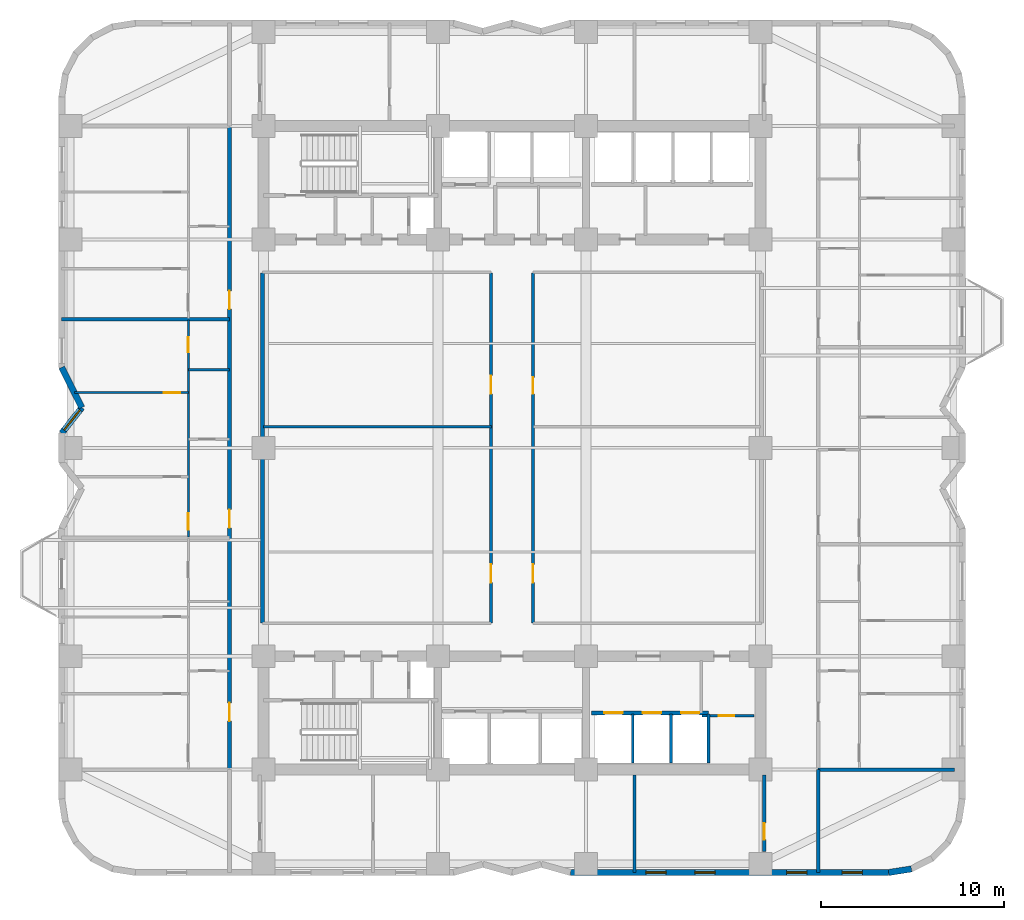
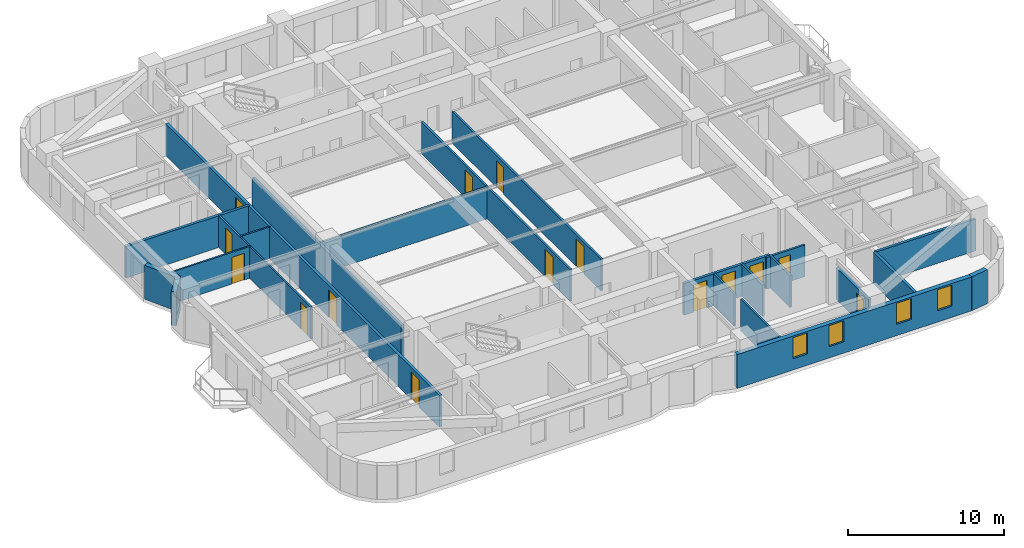
# One storey, part 4 of 10: 22 walls, 15 doors, 5 windows, 20 openings.
"""IFC4 building model written with IfcOpenShell, lengths in metres."""

from ifc_helpers import new_model, si_unit, direction, frame, frame_2d, origin, place, context, subcontext, project, spatial, rectangle, extrude, material, layer, layer_set, type_object, element, fill, save


model = new_model("IFC4")

# Units and contexts
model_context = context("Model", 3, precision=1e-05, world=origin(), true_north=direction((0.0, 1.0)))
body_context = subcontext(model_context, "Body", "Model", "MODEL_VIEW")
ifc_project = project(units=[si_unit("LENGTHUNIT", "METRE"), si_unit("AREAUNIT", "SQUARE_METRE"), si_unit("VOLUMEUNIT", "CUBIC_METRE"), si_unit("PLANEANGLEUNIT", "RADIAN"), si_unit("MASSUNIT", "GRAM", prefix="KILO")], contexts=[model_context])

# Site, building, storey
site_placement = place(None, origin())
site = spatial("IfcSite", under=ifc_project, at=site_placement, CompositionType="ELEMENT")
building_placement = place(site_placement, origin())
building = spatial("IfcBuilding", under=site, at=building_placement, Name="Svetorya Sky Lyceum", CompositionType="ELEMENT")
storey_placement = place(building_placement, frame((0.0, 0.0, 73.199951171875)))
storey = spatial("IfcBuildingStorey", under=building, at=storey_placement, Name="L18", CompositionType="ELEMENT", Elevation=73.199951171875)

# Wall, openings, windows
ifc_material_1 = material(Name="Putilovo limestone rainscreen on autoclaved cellular masonry", Category="masonry")
ifc_layer_1 = layer(ifc_material_1, 0.340087890625)
ifc_layer_set_1 = layer_set([ifc_layer_1], Name="Putilovo limestone rainscreen on autoclaved cellular masonry")
wall_type_1 = type_object("IfcWallType", Name="WL-EXT-340", PredefinedType="SOLIDWALL", material=ifc_layer_set_1)
wall_1_placement = place(storey_placement, frame((42.39990234375, 4.969970703125, 0.0), z_axis=(0.0, 0.0, 1.0), x_axis=(1.0, 0.0, 0.0)))
wall_1 = element("IfcWall", 1, at=wall_1_placement, inside=storey, type_object=wall_type_1, Name="L18 Limestone Exterior Wall 11M", PredefinedType="SOLIDWALL", context=body_context, shape_type="SweptSolid", body=[
    extrude(rectangle(XDim=17.400146484375, YDim=0.340087890625, at=frame_2d((8.7001953125, 0.0))), origin(), (0.0, 0.0, 1.0), 2.66015625),
])
opening_1_placement = place(wall_1_placement, frame((4.125, 0.0, 0.889892578125)))
opening_1 = element("IfcOpeningElement", 2, at=opening_1_placement, cuts=wall_1, Name="Opening W-R3", PredefinedType="OPENING", context=body_context, shape_type="SweptSolid", body=[
    extrude(rectangle(XDim=1.10009765625, YDim=1.64990234375, at=frame_2d((0.550048828125, 0.824951171875))), frame((0.0, 0.179931640625, 0.0), z_axis=(0.0, -1.0, 0.0), x_axis=(1.0, 0.0, 0.0)), (0.0, 0.0, 1.0), 0.360107421875),
])
opening_2_placement = place(wall_1_placement, frame((6.808349609375, 0.0, 0.889892578125)))
opening_2 = element("IfcOpeningElement", 3, at=opening_2_placement, cuts=wall_1, Name="Opening W-R3", PredefinedType="OPENING", context=body_context, shape_type="SweptSolid", body=[
    extrude(rectangle(XDim=1.10009765625, YDim=1.64990234375, at=frame_2d((0.550048828125, 0.824951171875))), frame((0.0, 0.179931640625, 0.0), z_axis=(0.0, -1.0, 0.0), x_axis=(1.0, 0.0, 0.0)), (0.0, 0.0, 1.0), 0.360107421875),
])
opening_3_placement = place(wall_1_placement, frame((11.824951171875, 0.0, 0.889892578125)))
opening_3 = element("IfcOpeningElement", 4, at=opening_3_placement, cuts=wall_1, Name="Opening W-R3", PredefinedType="OPENING", context=body_context, shape_type="SweptSolid", body=[
    extrude(rectangle(XDim=1.10009765625, YDim=1.64990234375, at=frame_2d((0.550048828125, 0.824951171875))), frame((0.0, 0.179931640625, 0.0), z_axis=(0.0, -1.0, 0.0), x_axis=(1.0, 0.0, 0.0)), (0.0, 0.0, 1.0), 0.360107421875),
])
opening_4_placement = place(wall_1_placement, frame((14.8583984375, 0.0, 0.889892578125)))
opening_4 = element("IfcOpeningElement", 5, at=opening_4_placement, cuts=wall_1, Name="Opening W-R3", PredefinedType="OPENING", context=body_context, shape_type="SweptSolid", body=[
    extrude(rectangle(XDim=1.10009765625, YDim=1.64990234375, at=frame_2d((0.550048828125, 0.824951171875))), frame((0.0, 0.179931640625, 0.0), z_axis=(0.0, -1.0, 0.0), x_axis=(1.0, 0.0, 0.0)), (0.0, 0.0, 1.0), 0.360107421875),
])
ifc_material_2 = material(Name="Thermally broken aluminium frame with triple low-E glazing", Category="aluminium")
window_type_1 = type_object("IfcWindowType", Name="WN-RES-110", PartitioningType="SINGLE_PANEL", PredefinedType="WINDOW", material=ifc_material_2)
window_1_placement = place(opening_1_placement, origin())
window_1 = element("IfcWindow", 6, at=window_1_placement, inside=storey, type_object=window_type_1, Name="L18 Facade Window W-R3.11M.1", OverallHeight=1.64990234375, OverallWidth=1.10009765625, PartitioningType="SINGLE_PANEL", PredefinedType="WINDOW", context=body_context, shape_type="SweptSolid", body=[
    extrude(rectangle(XDim=1.10009765625, YDim=1.64990234375, at=frame_2d((0.550048828125, 0.824951171875))), frame((0.0, 0.030029296875, 0.0), z_axis=(0.0, -1.0, 0.0), x_axis=(1.0, 0.0, 0.0)), (0.0, 0.0, 1.0), 0.06005859375),
])
fill(opening_1, window_1)
window_2_placement = place(opening_2_placement, origin())
window_2 = element("IfcWindow", 7, at=window_2_placement, inside=storey, type_object=window_type_1, Name="L18 Facade Window W-R3.11M.2", OverallHeight=1.64990234375, OverallWidth=1.10009765625, PartitioningType="SINGLE_PANEL", PredefinedType="WINDOW", context=body_context, shape_type="SweptSolid", body=[
    extrude(rectangle(XDim=1.10009765625, YDim=1.64990234375, at=frame_2d((0.550048828125, 0.824951171875))), frame((0.0, 0.030029296875, 0.0), z_axis=(0.0, -1.0, 0.0), x_axis=(1.0, 0.0, 0.0)), (0.0, 0.0, 1.0), 0.06005859375),
])
fill(opening_2, window_2)
window_3_placement = place(opening_3_placement, origin())
window_3 = element("IfcWindow", 8, at=window_3_placement, inside=storey, type_object=window_type_1, Name="L18 Facade Window W-R3.11M.3", OverallHeight=1.64990234375, OverallWidth=1.10009765625, PartitioningType="SINGLE_PANEL", PredefinedType="WINDOW", context=body_context, shape_type="SweptSolid", body=[
    extrude(rectangle(XDim=1.10009765625, YDim=1.64990234375, at=frame_2d((0.550048828125, 0.824951171875))), frame((0.0, 0.030029296875, 0.0), z_axis=(0.0, -1.0, 0.0), x_axis=(1.0, 0.0, 0.0)), (0.0, 0.0, 1.0), 0.06005859375),
])
fill(opening_3, window_3)
window_4_placement = place(opening_4_placement, origin())
window_4 = element("IfcWindow", 9, at=window_4_placement, inside=storey, type_object=window_type_1, Name="L18 Facade Window W-R3.11M.4", OverallHeight=1.64990234375, OverallWidth=1.10009765625, PartitioningType="SINGLE_PANEL", PredefinedType="WINDOW", context=body_context, shape_type="SweptSolid", body=[
    extrude(rectangle(XDim=1.10009765625, YDim=1.64990234375, at=frame_2d((0.550048828125, 0.824951171875))), frame((0.0, 0.030029296875, 0.0), z_axis=(0.0, -1.0, 0.0), x_axis=(1.0, 0.0, 0.0)), (0.0, 0.0, 1.0), 0.06005859375),
])
fill(opening_4, window_4)

# Walls
wall_2_placement = place(storey_placement, frame((59.800048828125, 4.969970703125, 0.0), z_axis=(0.0, 0.0, 1.0), x_axis=(0.987685918112, 0.15644975923, 0.0)))
element("IfcWall", 10, at=wall_2_placement, inside=storey, type_object=wall_type_1, Name="L18 Limestone Exterior Wall 12M", PredefinedType="SOLIDWALL", context=body_context, shape_type="SweptSolid", body=[
    extrude(rectangle(XDim=1.260986328125, YDim=0.340087890625, at=frame_2d((0.63037109375, 0.0))), origin(), (0.0, 0.0, 1.0), 2.66015625),
])
wall_3_placement = place(storey_placement, frame((14.570068359375, 32.60009765625, 0.0), z_axis=(0.0, 0.0, 1.0), x_axis=(0.44713419144, -0.894466888625, 0.0)))
element("IfcWall", 11, at=wall_3_placement, inside=storey, type_object=wall_type_1, Name="L18 Limestone Exterior Wall 41M", PredefinedType="SOLIDWALL", context=body_context, shape_type="SweptSolid", body=[
    extrude(rectangle(XDim=2.459716796875, YDim=0.340087890625, at=frame_2d((1.22998046875, 0.0))), origin(), (0.0, 0.0, 1.0), 2.66015625),
])

# Wall, opening, window
wall_4_placement = place(storey_placement, frame((15.669921875, 30.39990234375, 0.0), z_axis=(0.0, 0.0, 1.0), x_axis=(-0.617797325735, -0.786337373088, 0.0)))
wall_4 = element("IfcWall", 12, at=wall_4_placement, inside=storey, type_object=wall_type_1, Name="L18 Limestone Exterior Wall 42M", PredefinedType="SOLIDWALL", context=body_context, shape_type="SweptSolid", body=[
    extrude(rectangle(XDim=1.7802734375, YDim=0.340087890625, at=frame_2d((0.89013671875, 0.0))), origin(), (0.0, 0.0, 1.0), 2.66015625),
])
opening_5_placement = place(wall_4_placement, frame((0.159912109375, 0.0, 0.64990234375)))
opening_5 = element("IfcOpeningElement", 13, at=opening_5_placement, cuts=wall_4, Name="Opening W-R2", PredefinedType="OPENING", context=body_context, shape_type="SweptSolid", body=[
    extrude(rectangle(XDim=1.39990234375, YDim=1.85009765625, at=frame_2d((0.699951171875, 0.925048828125))), frame((0.0, 0.179931640625, 0.0), z_axis=(0.0, -1.0, 0.0), x_axis=(1.0, 0.0, 0.0)), (0.0, 0.0, 1.0), 0.360107421875),
])
window_type_2 = type_object("IfcWindowType", Name="WN-RES-140", PartitioningType="SINGLE_PANEL", PredefinedType="WINDOW", material=ifc_material_2)
window_5_placement = place(opening_5_placement, origin())
window_5 = element("IfcWindow", 14, at=window_5_placement, inside=storey, type_object=window_type_2, Name="L18 Facade Window W-R2.42M.1", OverallHeight=1.85009765625, OverallWidth=1.39990234375, PartitioningType="SINGLE_PANEL", PredefinedType="WINDOW", context=body_context, shape_type="SweptSolid", body=[
    extrude(rectangle(XDim=1.39990234375, YDim=1.85009765625, at=frame_2d((0.699951171875, 0.925048828125))), frame((0.0, 0.030029296875, 0.0), z_axis=(0.0, -1.0, 0.0), x_axis=(1.0, 0.0, 0.0)), (0.0, 0.0, 1.0), 0.06005859375),
])
fill(opening_5, window_5)

# Wall
ifc_material_3 = material(Name="Twin-stud galvanized framing with double fireboard", Category="gypsum")
ifc_layer_2 = layer(ifc_material_3, 0.1201171875)
ifc_layer_set_2 = layer_set([ifc_layer_2], Name="Twin-stud galvanized framing with double fireboard")
wall_type_2 = type_object("IfcWallType", Name="WL-PART-120", PredefinedType="PARTITIONING", material=ifc_layer_set_2)
wall_5_placement = place(storey_placement, frame((21.5, 32.471923828125, 0.0), z_axis=(0.0, 0.0, 1.0), x_axis=(1.0, 0.0, 0.0)))
element("IfcWall", 15, at=wall_5_placement, inside=storey, type_object=wall_type_2, Name="L18 Interior Partition W2-WH2", PredefinedType="PARTITIONING", context=body_context, shape_type="SweptSolid", body=[
    extrude(rectangle(XDim=2.25, YDim=0.1201171875, at=frame_2d((1.125, 0.0))), origin(), (0.0, 0.0, 1.0), 2.489990234375),
])

# Wall, opening, door
wall_6_placement = place(storey_placement, frame((15.259033203125, 31.221923828125, 0.0), z_axis=(0.0, 0.0, 1.0), x_axis=(1.0, 0.0, 0.0)))
wall_6 = element("IfcWall", 16, at=wall_6_placement, inside=storey, type_object=wall_type_2, Name="L18 Interior Partition W2-WL2", PredefinedType="PARTITIONING", context=body_context, shape_type="SweptSolid", body=[
    extrude(rectangle(XDim=6.240966796875, YDim=0.1201171875, at=frame_2d((3.12060546875, 0.0))), origin(), (0.0, 0.0, 1.0), 2.489990234375),
])
opening_6_placement = place(wall_6_placement, frame((4.89111328125, 0.0, 0.0)))
opening_6 = element("IfcOpeningElement", 17, at=opening_6_placement, cuts=wall_6, Name="Opening D-RM1", PredefinedType="OPENING", context=body_context, shape_type="SweptSolid", body=[
    extrude(rectangle(XDim=0.89990234375, YDim=2.10009765625, at=frame_2d((0.449951171875, 1.050048828125))), frame((0.0, 0.070068359375, 0.0), z_axis=(0.0, -1.0, 0.0), x_axis=(1.0, 0.0, 0.0)), (0.0, 0.0, 1.0), 0.14013671875),
])
ifc_material_4 = material(Name="Lacquered birch veneer internal door")
door_type_1 = type_object("IfcDoorType", Name="DR-INT-900", OperationType="SINGLE_SWING_LEFT", PredefinedType="DOOR", material=ifc_material_4)
door_1_placement = place(opening_6_placement, origin())
door_1 = element("IfcDoor", 18, at=door_1_placement, inside=storey, type_object=door_type_1, Name="Apartment W2 Bedroom 2 Door", OperationType="SINGLE_SWING_LEFT", OverallHeight=2.10009765625, OverallWidth=0.89990234375, PredefinedType="DOOR", context=body_context, shape_type="SweptSolid", body=[
    extrude(rectangle(XDim=0.89990234375, YDim=2.10009765625, at=frame_2d((0.449951171875, 1.050048828125))), frame((0.0, 0.02490234375, 0.0), z_axis=(0.0, -1.0, 0.0), x_axis=(1.0, 0.0, 0.0)), (0.0, 0.0, 1.0), 0.050048828125),
])
fill(opening_6, door_1)

# Wall, openings, doors
wall_7_placement = place(storey_placement, frame((21.5, 23.31201171875, 0.0), z_axis=(0.0, 0.0, 1.0), x_axis=(0.0, 1.0, 0.0)))
wall_7 = element("IfcWall", 19, at=wall_7_placement, inside=storey, type_object=wall_type_2, Name="L18 Interior Partition W2-WV", PredefinedType="PARTITIONING", context=body_context, shape_type="SweptSolid", body=[
    extrude(rectangle(XDim=11.887939453125, YDim=0.1201171875, at=frame_2d((5.94384765625, 0.0))), origin(), (0.0, 0.0, 1.0), 2.489990234375),
])
opening_7_placement = place(wall_7_placement, frame((0.409912109375, 0.0, 0.0)))
opening_7 = element("IfcOpeningElement", 20, at=opening_7_placement, cuts=wall_7, Name="Opening D-RM1", PredefinedType="OPENING", context=body_context, shape_type="SweptSolid", body=[
    extrude(rectangle(XDim=0.89990234375, YDim=2.10009765625, at=frame_2d((0.449951171875, 1.050048828125))), frame((0.0, 0.070068359375, 0.0), z_axis=(0.0, -1.0, 0.0), x_axis=(1.0, 0.0, 0.0)), (0.0, 0.0, 1.0), 0.14013671875),
])
opening_8_placement = place(wall_7_placement, frame((10.118896484375, 0.0, 0.0)))
opening_8 = element("IfcOpeningElement", 21, at=opening_8_placement, cuts=wall_7, Name="Opening D-BT2", PredefinedType="OPENING", context=body_context, shape_type="SweptSolid", body=[
    extrude(rectangle(XDim=0.820068359375, YDim=2.080078125, at=frame_2d((0.41015625, 1.0400390625))), frame((0.0, 0.070068359375, 0.0), z_axis=(0.0, -1.0, 0.0), x_axis=(1.0, 0.0, 0.0)), (0.0, 0.0, 1.0), 0.14013671875),
])
door_2_placement = place(opening_7_placement, origin())
door_2 = element("IfcDoor", 22, at=door_2_placement, inside=storey, type_object=door_type_1, Name="Apartment W2 Living Door", OperationType="SINGLE_SWING_LEFT", OverallHeight=2.10009765625, OverallWidth=0.89990234375, PredefinedType="DOOR", context=body_context, shape_type="SweptSolid", body=[
    extrude(rectangle(XDim=0.89990234375, YDim=2.10009765625, at=frame_2d((0.449951171875, 1.050048828125))), frame((0.0, 0.02490234375, 0.0), z_axis=(0.0, -1.0, 0.0), x_axis=(1.0, 0.0, 0.0)), (0.0, 0.0, 1.0), 0.050048828125),
])
fill(opening_7, door_2)
ifc_material_5 = material(Name="Compact moisture-resistant laminate closet door")
door_type_2 = type_object("IfcDoorType", Name="DR-WET-820", OperationType="SINGLE_SWING_LEFT", PredefinedType="DOOR", material=ifc_material_5)
door_3_placement = place(opening_8_placement, origin())
door_3 = element("IfcDoor", 23, at=door_3_placement, inside=storey, type_object=door_type_2, Name="Apartment W2 Study Door", OperationType="SINGLE_SWING_RIGHT", OverallHeight=2.080078125, OverallWidth=0.820068359375, PredefinedType="DOOR", context=body_context, shape_type="SweptSolid", body=[
    extrude(rectangle(XDim=0.820068359375, YDim=2.080078125, at=frame_2d((0.41015625, 1.0400390625))), frame((0.0, 0.02490234375, 0.0), z_axis=(0.0, -1.0, 0.0), x_axis=(1.0, 0.0, 0.0)), (0.0, 0.0, 1.0), 0.050048828125),
])
fill(opening_8, door_3)

# Walls
ifc_material_6 = material(Name="Autoclaved cellular masonry blockwork with acoustic render", Category="masonry")
ifc_layer_3 = layer(ifc_material_6, 0.14990234375)
ifc_layer_set_3 = layer_set([ifc_layer_3], Name="Autoclaved cellular masonry blockwork with acoustic render")
wall_type_3 = type_object("IfcWallType", Name="WL-PART-150", PredefinedType="PARTITIONING", material=ifc_layer_set_3)
for number, where, z_axis, x_axis, name in (
    (24, (45.800048828125, 10.949951171875, 0.0), (0.0, 0.0, 1.0), (0.0, 1.0, 0.0), "L18 Interior Partition SC-PL-DIV1"),
    (25, (47.89990234375, 10.949951171875, 0.0), (0.0, 0.0, 1.0), (0.0, 1.0, 0.0), "L18 Interior Partition SC-PL-DIV2"),
    (26, (49.949951171875, 10.949951171875, 0.0), (0.0, 0.0, 1.0), (0.0, 1.0, 0.0), "L18 Interior Partition SC-PL-END"),
):
    element("IfcWall", number, at=place(storey_placement, frame(where, z_axis=z_axis, x_axis=x_axis)), inside=storey, type_object=wall_type_3, Name=name, PredefinedType="PARTITIONING", context=body_context, shape_type="SweptSolid", body=[
        extrude(rectangle(XDim=2.699951171875, YDim=0.14990234375, at=frame_2d((1.35009765625, 0.0))), origin(), (0.0, 0.0, 1.0), 2.489990234375),
    ])

# Wall, opening, door
wall_8_placement = place(storey_placement, frame((49.60009765625, 13.550048828125, 0.0), z_axis=(0.0, 0.0, 1.0), x_axis=(1.0, 0.0, 0.0)))
wall_8 = element("IfcWall", 27, at=wall_8_placement, inside=storey, type_object=wall_type_3, Name="L18 Interior Partition SC-AUX-H", PredefinedType="PARTITIONING", context=body_context, shape_type="SweptSolid", body=[
    extrude(rectangle(XDim=2.849853515625, YDim=0.14990234375, at=frame_2d((1.4248046875, 0.0))), origin(), (0.0, 0.0, 1.0), 2.489990234375),
])
opening_9_placement = place(wall_8_placement, frame((0.89990234375, 0.0, 0.0)))
opening_9 = element("IfcOpeningElement", 28, at=opening_9_placement, cuts=wall_8, Name="Opening D-CWC1", PredefinedType="OPENING", context=body_context, shape_type="SweptSolid", body=[
    extrude(rectangle(XDim=0.85009765625, YDim=2.10009765625, at=frame_2d((0.425048828125, 1.050048828125))), frame((0.0, 0.0849609375, 0.0), z_axis=(0.0, -1.0, 0.0), x_axis=(1.0, 0.0, 0.0)), (0.0, 0.0, 1.0), 0.169921875),
])
ifc_material_7 = material(Name="Fire-rated galvanized steel core service closet door", Category="steel")
door_type_3 = type_object("IfcDoorType", Name="DR-CWET-850", OperationType="SINGLE_SWING_LEFT", PredefinedType="DOOR", material=ifc_material_7)
door_4_placement = place(opening_9_placement, origin())
door_4 = element("IfcDoor", 29, at=door_4_placement, inside=storey, type_object=door_type_3, Name="L18 South Electrical Closet Door", OperationType="SINGLE_SWING_LEFT", OverallHeight=2.10009765625, OverallWidth=0.85009765625, PredefinedType="DOOR", context=body_context, shape_type="SweptSolid", body=[
    extrude(rectangle(XDim=0.85009765625, YDim=2.10009765625, at=frame_2d((0.425048828125, 1.050048828125))), frame((0.0, 0.02490234375, 0.0), z_axis=(0.0, -1.0, 0.0), x_axis=(1.0, 0.0, 0.0)), (0.0, 0.0, 1.0), 0.050048828125),
])
fill(opening_9, door_4)

# Wall
wall_9_placement = place(storey_placement, frame((25.60009765625, 29.348388671875, 0.0), z_axis=(0.0, 0.0, 1.0), x_axis=(1.0, 0.0, 0.0)))
element("IfcWall", 30, at=wall_9_placement, inside=storey, type_object=wall_type_3, Name="L18 Interior Partition CEN-HW", PredefinedType="PARTITIONING", context=body_context, shape_type="SweptSolid", body=[
    extrude(rectangle(XDim=12.469970703125, YDim=0.14990234375, at=frame_2d((6.23486328125, 0.0))), origin(), (0.0, 0.0, 1.0), 2.489990234375),
])

# Wall, openings, doors
wall_10_placement = place(storey_placement, frame((38.050048828125, 18.6298828125, 0.0), z_axis=(0.0, 0.0, 1.0), x_axis=(0.0, 1.0, 0.0)))
wall_10 = element("IfcWall", 31, at=wall_10_placement, inside=storey, type_object=wall_type_3, Name="L18 Interior Partition CEN-VW", PredefinedType="PARTITIONING", context=body_context, shape_type="SweptSolid", body=[
    extrude(rectangle(XDim=19.14013671875, YDim=0.14990234375, at=frame_2d((9.570068359375, 0.0))), origin(), (0.0, 0.0, 1.0), 2.489990234375),
])
opening_10_placement = place(wall_10_placement, frame((2.199951171875, 0.0, 0.0)))
opening_10 = element("IfcOpeningElement", 32, at=opening_10_placement, cuts=wall_10, Name="Opening D-RM2", PredefinedType="OPENING", context=body_context, shape_type="SweptSolid", body=[
    extrude(rectangle(XDim=1.0, YDim=2.14990234375, at=frame_2d((0.5, 1.074951171875))), frame((0.0, 0.0849609375, 0.0), z_axis=(0.0, -1.0, 0.0), x_axis=(1.0, 0.0, 0.0)), (0.0, 0.0, 1.0), 0.169921875),
])
opening_11_placement = place(wall_10_placement, frame((12.518310546875, 0.0, 0.0)))
opening_11 = element("IfcOpeningElement", 33, at=opening_11_placement, cuts=wall_10, Name="Opening D-RM2", PredefinedType="OPENING", context=body_context, shape_type="SweptSolid", body=[
    extrude(rectangle(XDim=1.0, YDim=2.14990234375, at=frame_2d((0.5, 1.074951171875))), frame((0.0, 0.0849609375, 0.0), z_axis=(0.0, -1.0, 0.0), x_axis=(1.0, 0.0, 0.0)), (0.0, 0.0, 1.0), 0.169921875),
])
ifc_material_8 = material(Name="Solid-core oak acoustic room door")
door_type_4 = type_object("IfcDoorType", Name="DR-INT-1000", OperationType="SINGLE_SWING_LEFT", PredefinedType="DOOR", material=ifc_material_8)
door_5_placement = place(opening_10_placement, origin())
door_5 = element("IfcDoor", 34, at=door_5_placement, inside=storey, type_object=door_type_4, Name="L18 Meeting Door", OperationType="SINGLE_SWING_LEFT", OverallHeight=2.14990234375, OverallWidth=1.0, PredefinedType="DOOR", context=body_context, shape_type="SweptSolid", body=[
    extrude(rectangle(XDim=1.0, YDim=2.14990234375, at=frame_2d((0.5, 1.074951171875))), frame((0.0, 0.02490234375, 0.0), z_axis=(0.0, -1.0, 0.0), x_axis=(1.0, 0.0, 0.0)), (0.0, 0.0, 1.0), 0.050048828125),
])
fill(opening_10, door_5)
door_6_placement = place(opening_11_placement, origin())
door_6 = element("IfcDoor", 35, at=door_6_placement, inside=storey, type_object=door_type_4, Name="L18 Focus Door", OperationType="SINGLE_SWING_RIGHT", OverallHeight=2.14990234375, OverallWidth=1.0, PredefinedType="DOOR", context=body_context, shape_type="SweptSolid", body=[
    extrude(rectangle(XDim=1.0, YDim=2.14990234375, at=frame_2d((0.5, 1.074951171875))), frame((0.0, 0.02490234375, 0.0), z_axis=(0.0, -1.0, 0.0), x_axis=(1.0, 0.0, 0.0)), (0.0, 0.0, 1.0), 0.050048828125),
])
fill(opening_11, door_6)

wall_11_placement = place(storey_placement, frame((40.35009765625, 18.6298828125, 0.0), z_axis=(0.0, 0.0, 1.0), x_axis=(0.0, 1.0, 0.0)))
wall_11 = element("IfcWall", 36, at=wall_11_placement, inside=storey, type_object=wall_type_3, Name="L18 Interior Partition CEN-VE", PredefinedType="PARTITIONING", context=body_context, shape_type="SweptSolid", body=[
    extrude(rectangle(XDim=19.14013671875, YDim=0.14990234375, at=frame_2d((9.570068359375, 0.0))), origin(), (0.0, 0.0, 1.0), 2.489990234375),
])
opening_12_placement = place(wall_11_placement, frame((2.199951171875, 0.0, 0.0)))
opening_12 = element("IfcOpeningElement", 37, at=opening_12_placement, cuts=wall_11, Name="Opening D-RM2", PredefinedType="OPENING", context=body_context, shape_type="SweptSolid", body=[
    extrude(rectangle(XDim=1.0, YDim=2.14990234375, at=frame_2d((0.5, 1.074951171875))), frame((0.0, 0.0849609375, 0.0), z_axis=(0.0, -1.0, 0.0), x_axis=(1.0, 0.0, 0.0)), (0.0, 0.0, 1.0), 0.169921875),
])
opening_13_placement = place(wall_11_placement, frame((12.518310546875, 0.0, 0.0)))
opening_13 = element("IfcOpeningElement", 38, at=opening_13_placement, cuts=wall_11, Name="Opening D-RM1", PredefinedType="OPENING", context=body_context, shape_type="SweptSolid", body=[
    extrude(rectangle(XDim=0.89990234375, YDim=2.10009765625, at=frame_2d((0.449951171875, 1.050048828125))), frame((0.0, 0.0849609375, 0.0), z_axis=(0.0, -1.0, 0.0), x_axis=(1.0, 0.0, 0.0)), (0.0, 0.0, 1.0), 0.169921875),
])
door_7_placement = place(opening_12_placement, origin())
door_7 = element("IfcDoor", 39, at=door_7_placement, inside=storey, type_object=door_type_4, Name="L18 Office Door", OperationType="SINGLE_SWING_RIGHT", OverallHeight=2.14990234375, OverallWidth=1.0, PredefinedType="DOOR", context=body_context, shape_type="SweptSolid", body=[
    extrude(rectangle(XDim=1.0, YDim=2.14990234375, at=frame_2d((0.5, 1.074951171875))), frame((0.0, 0.02490234375, 0.0), z_axis=(0.0, -1.0, 0.0), x_axis=(1.0, 0.0, 0.0)), (0.0, 0.0, 1.0), 0.050048828125),
])
fill(opening_12, door_7)
door_8_placement = place(opening_13_placement, origin())
door_8 = element("IfcDoor", 40, at=door_8_placement, inside=storey, type_object=door_type_1, Name="L18 Pantry Door", OperationType="SINGLE_SWING_LEFT", OverallHeight=2.10009765625, OverallWidth=0.89990234375, PredefinedType="DOOR", context=body_context, shape_type="SweptSolid", body=[
    extrude(rectangle(XDim=0.89990234375, YDim=2.10009765625, at=frame_2d((0.449951171875, 1.050048828125))), frame((0.0, 0.02490234375, 0.0), z_axis=(0.0, -1.0, 0.0), x_axis=(1.0, 0.0, 0.0)), (0.0, 0.0, 1.0), 0.050048828125),
])
fill(opening_13, door_8)

# Wall
wall_12_placement = place(storey_placement, frame((45.89990234375, 4.969970703125, 0.0), z_axis=(0.0, 0.0, 1.0), x_axis=(0.0, 1.0, 0.0)))
element("IfcWall", 41, at=wall_12_placement, inside=storey, type_object=wall_type_3, Name="L18 Interior Partition S-D2", PredefinedType="PARTITIONING", context=body_context, shape_type="SweptSolid", body=[
    extrude(rectangle(XDim=5.330078125, YDim=0.14990234375, at=frame_2d((2.6650390625, 0.0))), origin(), (0.0, 0.0, 1.0), 2.489990234375),
])

# Wall, openings, doors
ifc_material_9 = material(Name="Autoclaved cellular masonry blockwork with gypsum plaster", Category="masonry")
ifc_layer_4 = layer(ifc_material_9, 0.199951171875)
ifc_layer_set_4 = layer_set([ifc_layer_4], Name="Autoclaved cellular masonry blockwork with gypsum plaster")
wall_type_4 = type_object("IfcWallType", Name="WL-PART-200", PredefinedType="PARTITIONING", material=ifc_layer_set_4)
wall_13_placement = place(storey_placement, frame((43.550048828125, 13.699951171875, 0.0), z_axis=(0.0, 0.0, 1.0), x_axis=(1.0, 0.0, 0.0)))
wall_13 = element("IfcWall", 42, at=wall_13_placement, inside=storey, type_object=wall_type_4, Name="L18 Interior Partition SC-PLW", PredefinedType="PARTITIONING", context=body_context, shape_type="SweptSolid", body=[
    extrude(rectangle(XDim=6.39990234375, YDim=0.199951171875, at=frame_2d((3.199951171875, 0.0))), origin(), (0.0, 0.0, 1.0), 2.489990234375),
])
opening_14_placement = place(wall_13_placement, frame((0.699951171875, 0.0, 0.0)))
opening_14 = element("IfcOpeningElement", 43, at=opening_14_placement, cuts=wall_13, Name="Opening LD-P1", PredefinedType="OPENING", context=body_context, shape_type="SweptSolid", body=[
    extrude(rectangle(XDim=1.0, YDim=2.14990234375, at=frame_2d((0.5, 1.074951171875))), frame((0.0, 0.10986328125, 0.0), z_axis=(0.0, -1.0, 0.0), x_axis=(1.0, 0.0, 0.0)), (0.0, 0.0, 1.0), 0.219970703125),
])
opening_15_placement = place(wall_13_placement, frame((2.800048828125, 0.0, 0.0)))
opening_15 = element("IfcOpeningElement", 44, at=opening_15_placement, cuts=wall_13, Name="Opening LD-P1", PredefinedType="OPENING", context=body_context, shape_type="SweptSolid", body=[
    extrude(rectangle(XDim=1.0, YDim=2.14990234375, at=frame_2d((0.5, 1.074951171875))), frame((0.0, 0.10986328125, 0.0), z_axis=(0.0, -1.0, 0.0), x_axis=(1.0, 0.0, 0.0)), (0.0, 0.0, 1.0), 0.219970703125),
])
opening_16_placement = place(wall_13_placement, frame((4.89990234375, 0.0, 0.0)))
opening_16 = element("IfcOpeningElement", 45, at=opening_16_placement, cuts=wall_13, Name="Opening LD-P1", PredefinedType="OPENING", context=body_context, shape_type="SweptSolid", body=[
    extrude(rectangle(XDim=1.0, YDim=2.14990234375, at=frame_2d((0.5, 1.074951171875))), frame((0.0, 0.10986328125, 0.0), z_axis=(0.0, -1.0, 0.0), x_axis=(1.0, 0.0, 0.0)), (0.0, 0.0, 1.0), 0.219970703125),
])
ifc_material_10 = material(Name="Champagne-anodized stainless passenger lift landing door")
door_type_5 = type_object("IfcDoorType", Name="DR-LIFT-1000", OperationType="SLIDING_TO_LEFT", PredefinedType="DOOR", material=ifc_material_10)
door_9_placement = place(opening_14_placement, origin())
door_9 = element("IfcDoor", 46, at=door_9_placement, inside=storey, type_object=door_type_5, Name="L18 Passenger Lift PL1 Landing Door", OperationType="SLIDING_TO_LEFT", OverallHeight=2.14990234375, OverallWidth=1.0, PredefinedType="DOOR", context=body_context, shape_type="SweptSolid", body=[
    extrude(rectangle(XDim=1.0, YDim=2.14990234375, at=frame_2d((0.5, 1.074951171875))), frame((0.0, 0.02490234375, 0.0), z_axis=(0.0, -1.0, 0.0), x_axis=(1.0, 0.0, 0.0)), (0.0, 0.0, 1.0), 0.050048828125),
])
fill(opening_14, door_9)
door_10_placement = place(opening_15_placement, origin())
door_10 = element("IfcDoor", 47, at=door_10_placement, inside=storey, type_object=door_type_5, Name="L18 Passenger Lift PL2 Landing Door", OperationType="SLIDING_TO_LEFT", OverallHeight=2.14990234375, OverallWidth=1.0, PredefinedType="DOOR", context=body_context, shape_type="SweptSolid", body=[
    extrude(rectangle(XDim=1.0, YDim=2.14990234375, at=frame_2d((0.5, 1.074951171875))), frame((0.0, 0.02490234375, 0.0), z_axis=(0.0, -1.0, 0.0), x_axis=(1.0, 0.0, 0.0)), (0.0, 0.0, 1.0), 0.050048828125),
])
fill(opening_15, door_10)
door_11_placement = place(opening_16_placement, origin())
door_11 = element("IfcDoor", 48, at=door_11_placement, inside=storey, type_object=door_type_5, Name="L18 Passenger Lift PL3 Landing Door", OperationType="SLIDING_TO_LEFT", OverallHeight=2.14990234375, OverallWidth=1.0, PredefinedType="DOOR", context=body_context, shape_type="SweptSolid", body=[
    extrude(rectangle(XDim=1.0, YDim=2.14990234375, at=frame_2d((0.5, 1.074951171875))), frame((0.0, 0.02490234375, 0.0), z_axis=(0.0, -1.0, 0.0), x_axis=(1.0, 0.0, 0.0)), (0.0, 0.0, 1.0), 0.050048828125),
])
fill(opening_16, door_11)

# Walls
wall_14_placement = place(storey_placement, frame((25.550048828125, 18.6298828125, 0.0), z_axis=(0.0, 0.0, 1.0), x_axis=(0.0, 1.0, 0.0)))
element("IfcWall", 49, at=wall_14_placement, inside=storey, type_object=wall_type_4, Name="L18 Interior Partition W-CEN-SEP", PredefinedType="PARTITIONING", context=body_context, shape_type="SweptSolid", body=[
    extrude(rectangle(XDim=19.14013671875, YDim=0.199951171875, at=frame_2d((9.570068359375, 0.0))), origin(), (0.0, 0.0, 1.0), 2.489990234375),
])
wall_15_placement = place(storey_placement, frame((14.570068359375, 35.239990234375, 0.0), z_axis=(0.0, 0.0, 1.0), x_axis=(1.0, 0.0, 0.0)))
element("IfcWall", 50, at=wall_15_placement, inside=storey, type_object=wall_type_4, Name="L18 Interior Partition W-PARTY-2", PredefinedType="PARTITIONING", context=body_context, shape_type="SweptSolid", body=[
    extrude(rectangle(XDim=9.179931640625, YDim=0.199951171875, at=frame_2d((4.58984375, 0.0))), origin(), (0.0, 0.0, 1.0), 2.489990234375),
])

# Wall, openings, doors
wall_16_placement = place(storey_placement, frame((23.75, 10.60009765625, 0.0), z_axis=(0.0, 0.0, 1.0), x_axis=(0.0, 1.0, 0.0)))
wall_16 = element("IfcWall", 51, at=wall_16_placement, inside=storey, type_object=wall_type_4, Name="L18 Interior Partition W-CORRW", PredefinedType="PARTITIONING", context=body_context, shape_type="SweptSolid", body=[
    extrude(rectangle(XDim=35.199951171875, YDim=0.199951171875, at=frame_2d((17.60009765625, 0.0))), origin(), (0.0, 0.0, 1.0), 2.489990234375),
])
opening_17_placement = place(wall_16_placement, frame((2.64990234375, 0.0, 0.0)))
opening_17 = element("IfcOpeningElement", 52, at=opening_17_placement, cuts=wall_16, Name="Opening D-APT1", PredefinedType="OPENING", context=body_context, shape_type="SweptSolid", body=[
    extrude(rectangle(XDim=1.0, YDim=2.14990234375, at=frame_2d((0.5, 1.074951171875))), frame((0.0, 0.10986328125, 0.0), z_axis=(0.0, -1.0, 0.0), x_axis=(1.0, 0.0, 0.0)), (0.0, 0.0, 1.0), 0.219970703125),
])
opening_18_placement = place(wall_16_placement, frame((13.221923828125, 0.0, 0.0)))
opening_18 = element("IfcOpeningElement", 53, at=opening_18_placement, cuts=wall_16, Name="Opening D-APT1", PredefinedType="OPENING", context=body_context, shape_type="SweptSolid", body=[
    extrude(rectangle(XDim=1.0, YDim=2.14990234375, at=frame_2d((0.5, 1.074951171875))), frame((0.0, 0.10986328125, 0.0), z_axis=(0.0, -1.0, 0.0), x_axis=(1.0, 0.0, 0.0)), (0.0, 0.0, 1.0), 0.219970703125),
])
opening_19_placement = place(wall_16_placement, frame((25.18994140625, 0.0, 0.0)))
opening_19 = element("IfcOpeningElement", 54, at=opening_19_placement, cuts=wall_16, Name="Opening D-APT1", PredefinedType="OPENING", context=body_context, shape_type="SweptSolid", body=[
    extrude(rectangle(XDim=1.0, YDim=2.14990234375, at=frame_2d((0.5, 1.074951171875))), frame((0.0, 0.10986328125, 0.0), z_axis=(0.0, -1.0, 0.0), x_axis=(1.0, 0.0, 0.0)), (0.0, 0.0, 1.0), 0.219970703125),
])
ifc_material_11 = material(Name="Insulated oak-veneered apartment entrance door")
door_type_6 = type_object("IfcDoorType", Name="DR-APT-1000", OperationType="SINGLE_SWING_LEFT", PredefinedType="DOOR", material=ifc_material_11)
door_12_placement = place(opening_17_placement, origin())
door_12 = element("IfcDoor", 55, at=door_12_placement, inside=storey, type_object=door_type_6, Name="L18 Apartment W1 Entrance Door", OperationType="SINGLE_SWING_LEFT", OverallHeight=2.14990234375, OverallWidth=1.0, PredefinedType="DOOR", context=body_context, shape_type="SweptSolid", body=[
    extrude(rectangle(XDim=1.0, YDim=2.14990234375, at=frame_2d((0.5, 1.074951171875))), frame((0.0, 0.02490234375, 0.0), z_axis=(0.0, -1.0, 0.0), x_axis=(1.0, 0.0, 0.0)), (0.0, 0.0, 1.0), 0.050048828125),
])
fill(opening_17, door_12)
door_13_placement = place(opening_18_placement, origin())
door_13 = element("IfcDoor", 56, at=door_13_placement, inside=storey, type_object=door_type_6, Name="L18 Apartment W2 Entrance Door", OperationType="SINGLE_SWING_RIGHT", OverallHeight=2.14990234375, OverallWidth=1.0, PredefinedType="DOOR", context=body_context, shape_type="SweptSolid", body=[
    extrude(rectangle(XDim=1.0, YDim=2.14990234375, at=frame_2d((0.5, 1.074951171875))), frame((0.0, 0.02490234375, 0.0), z_axis=(0.0, -1.0, 0.0), x_axis=(1.0, 0.0, 0.0)), (0.0, 0.0, 1.0), 0.050048828125),
])
fill(opening_18, door_13)
door_14_placement = place(opening_19_placement, origin())
door_14 = element("IfcDoor", 57, at=door_14_placement, inside=storey, type_object=door_type_6, Name="L18 Apartment W3 Entrance Door", OperationType="SINGLE_SWING_LEFT", OverallHeight=2.14990234375, OverallWidth=1.0, PredefinedType="DOOR", context=body_context, shape_type="SweptSolid", body=[
    extrude(rectangle(XDim=1.0, YDim=2.14990234375, at=frame_2d((0.5, 1.074951171875))), frame((0.0, 0.02490234375, 0.0), z_axis=(0.0, -1.0, 0.0), x_axis=(1.0, 0.0, 0.0)), (0.0, 0.0, 1.0), 0.050048828125),
])
fill(opening_19, door_14)

# Walls
wall_17_placement = place(storey_placement, frame((55.949951171875, 10.60009765625, 0.0), z_axis=(0.0, 0.0, 1.0), x_axis=(1.0, 0.0, 0.0)))
element("IfcWall", 58, at=wall_17_placement, inside=storey, type_object=wall_type_4, Name="L18 Interior Partition E-CAP-S", PredefinedType="PARTITIONING", context=body_context, shape_type="SweptSolid", body=[
    extrude(rectangle(XDim=7.4599609375, YDim=0.199951171875, at=frame_2d((3.72998046875, 0.0))), origin(), (0.0, 0.0, 1.0), 2.489990234375),
])
wall_18_placement = place(storey_placement, frame((55.949951171875, 4.969970703125, 0.0), z_axis=(0.0, 0.0, 1.0), x_axis=(0.0, 1.0, 0.0)))
element("IfcWall", 59, at=wall_18_placement, inside=storey, type_object=wall_type_4, Name="L18 Interior Partition EC-SE-END", PredefinedType="PARTITIONING", context=body_context, shape_type="SweptSolid", body=[
    extrude(rectangle(XDim=5.630126953125, YDim=0.199951171875, at=frame_2d((2.81494140625, 0.0))), origin(), (0.0, 0.0, 1.0), 2.489990234375),
])

# Wall, opening, door
wall_19_placement = place(storey_placement, frame((53.0, 6.1201171875, 0.0), z_axis=(0.0, 0.0, 1.0), x_axis=(0.0, 1.0, 0.0)))
wall_19 = element("IfcWall", 60, at=wall_19_placement, inside=storey, type_object=wall_type_4, Name="L18 Interior Partition S-EE", PredefinedType="PARTITIONING", context=body_context, shape_type="SweptSolid", body=[
    extrude(rectangle(XDim=4.179931640625, YDim=0.199951171875, at=frame_2d((2.08984375, 0.0))), origin(), (0.0, 0.0, 1.0), 2.489990234375),
])
opening_20_placement = place(wall_19_placement, frame((0.64990234375, 0.0, 0.0)))
opening_20 = element("IfcOpeningElement", 61, at=opening_20_placement, cuts=wall_19, Name="Opening D-RM1", PredefinedType="OPENING", context=body_context, shape_type="SweptSolid", body=[
    extrude(rectangle(XDim=0.89990234375, YDim=2.10009765625, at=frame_2d((0.449951171875, 1.050048828125))), frame((0.0, 0.10986328125, 0.0), z_axis=(0.0, -1.0, 0.0), x_axis=(1.0, 0.0, 0.0)), (0.0, 0.0, 1.0), 0.219970703125),
])
door_15_placement = place(opening_20_placement, origin())
door_15 = element("IfcDoor", 62, at=door_15_placement, inside=storey, type_object=door_type_1, Name="L18 South Focus Door", OperationType="SINGLE_SWING_RIGHT", OverallHeight=2.10009765625, OverallWidth=0.89990234375, PredefinedType="DOOR", context=body_context, shape_type="SweptSolid", body=[
    extrude(rectangle(XDim=0.89990234375, YDim=2.10009765625, at=frame_2d((0.449951171875, 1.050048828125))), frame((0.0, 0.02490234375, 0.0), z_axis=(0.0, -1.0, 0.0), x_axis=(1.0, 0.0, 0.0)), (0.0, 0.0, 1.0), 0.050048828125),
])
fill(opening_20, door_15)

save(model, "model.ifc")
